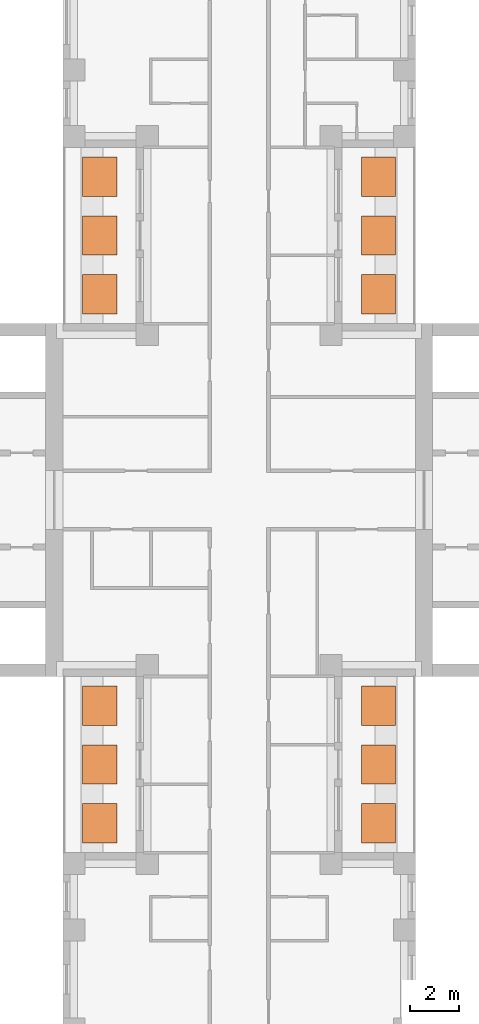
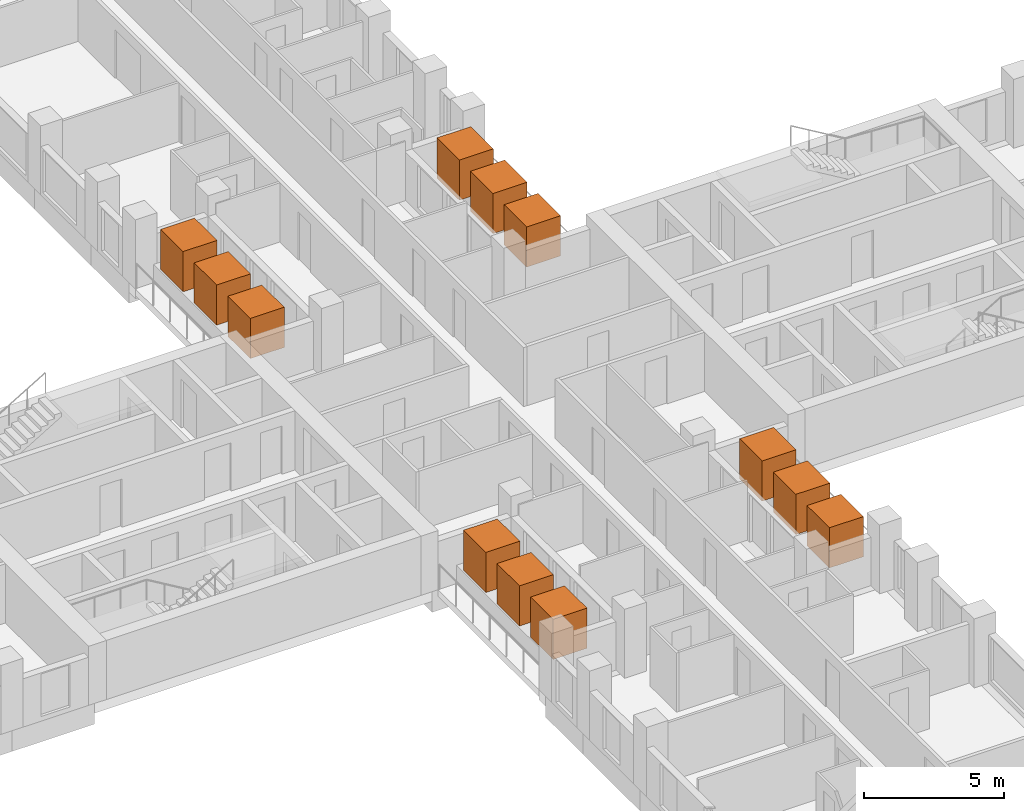
# One storey, part 15 of 15: 12 geographic elements.
"""IFC4 building model written with IfcOpenShell, lengths in metres."""

from ifc_helpers import new_model, si_unit, direction, frame, origin, origin_2d, place, context, subcontext, project, spatial, rectangle, extrude, material, element, save


model = new_model("IFC4")

# Units and contexts
model_context = context("Model", 3, precision=1e-05, world=origin(), true_north=direction((0.0, 1.0)))
body_context = subcontext(model_context, "Body", "Model", "MODEL_VIEW")
ifc_project = project(units=[si_unit("LENGTHUNIT", "METRE"), si_unit("AREAUNIT", "SQUARE_METRE"), si_unit("VOLUMEUNIT", "CUBIC_METRE"), si_unit("PLANEANGLEUNIT", "RADIAN"), si_unit("MASSUNIT", "GRAM", prefix="KILO")], contexts=[model_context])

# Site, building, storey
site_placement = place(None, origin())
site = spatial("IfcSite", under=ifc_project, at=site_placement, CompositionType="ELEMENT")
building_placement = place(site_placement, origin())
building = spatial("IfcBuilding", under=site, at=building_placement, Name="Fustian Cross Tower", CompositionType="ELEMENT")
storey_placement = place(building_placement, frame((0.0, 0.0, 35.699951171875)))
storey = spatial("IfcBuildingStorey", under=building, at=storey_placement, Name="L10", CompositionType="ELEMENT", Elevation=35.699951171875)

# Geographic elements
ifc_material = material(Name="Evergreen foliage")
for number, where, z_axis, x_axis, name in (
    (1, (5.68994140625, 8.39990234375, 0.800048828125), (0.0, 0.0, 1.0), (1.0, 0.0, 0.0), "TREE field maple"),
    (2, (5.68994140625, 10.800048828125, 0.800048828125), (0.0, 0.0, 1.0), (1.0, 0.0, 0.0), "TREE field maple"),
    (3, (5.68994140625, 13.199951171875, 0.800048828125), (0.0, 0.0, 1.0), (1.0, 0.0, 0.0), "TREE field maple"),
    (4, (-5.68994140625, 8.39990234375, 0.800048828125), (0.0, 0.0, 1.0), (1.0, 0.0, 0.0), "TREE field maple"),
    (5, (-5.68994140625, 10.800048828125, 0.800048828125), (0.0, 0.0, 1.0), (1.0, 0.0, 0.0), "TREE field maple"),
    (6, (-5.68994140625, 13.199951171875, 0.800048828125), (0.0, 0.0, 1.0), (1.0, 0.0, 0.0), "TREE field maple"),
    (7, (5.68994140625, -13.199951171875, 0.800048828125), (0.0, 0.0, 1.0), (1.0, 0.0, 0.0), "TREE field maple"),
    (8, (5.68994140625, -10.800048828125, 0.800048828125), (0.0, 0.0, 1.0), (1.0, 0.0, 0.0), "TREE field maple"),
    (9, (5.68994140625, -8.39990234375, 0.800048828125), (0.0, 0.0, 1.0), (1.0, 0.0, 0.0), "TREE field maple"),
    (10, (-5.68994140625, -13.199951171875, 0.800048828125), (0.0, 0.0, 1.0), (1.0, 0.0, 0.0), "TREE field maple"),
    (11, (-5.68994140625, -10.800048828125, 0.800048828125), (0.0, 0.0, 1.0), (1.0, 0.0, 0.0), "TREE field maple"),
    (12, (-5.68994140625, -8.39990234375, 0.800048828125), (0.0, 0.0, 1.0), (1.0, 0.0, 0.0), "TREE field maple"),
):
    element("IfcGeographicElement", number, at=place(storey_placement, frame(where, z_axis=z_axis, x_axis=x_axis)), inside=storey, material=ifc_material, Name=name, ObjectType="VEGETATION", PredefinedType="USERDEFINED", context=body_context, shape_type="SweptSolid", body=[
        extrude(rectangle(XDim=1.39990234375, YDim=1.60009765625, at=origin_2d()), origin(), (0.0, 0.0, 1.0), 1.75),
    ])

save(model, "model.ifc")
